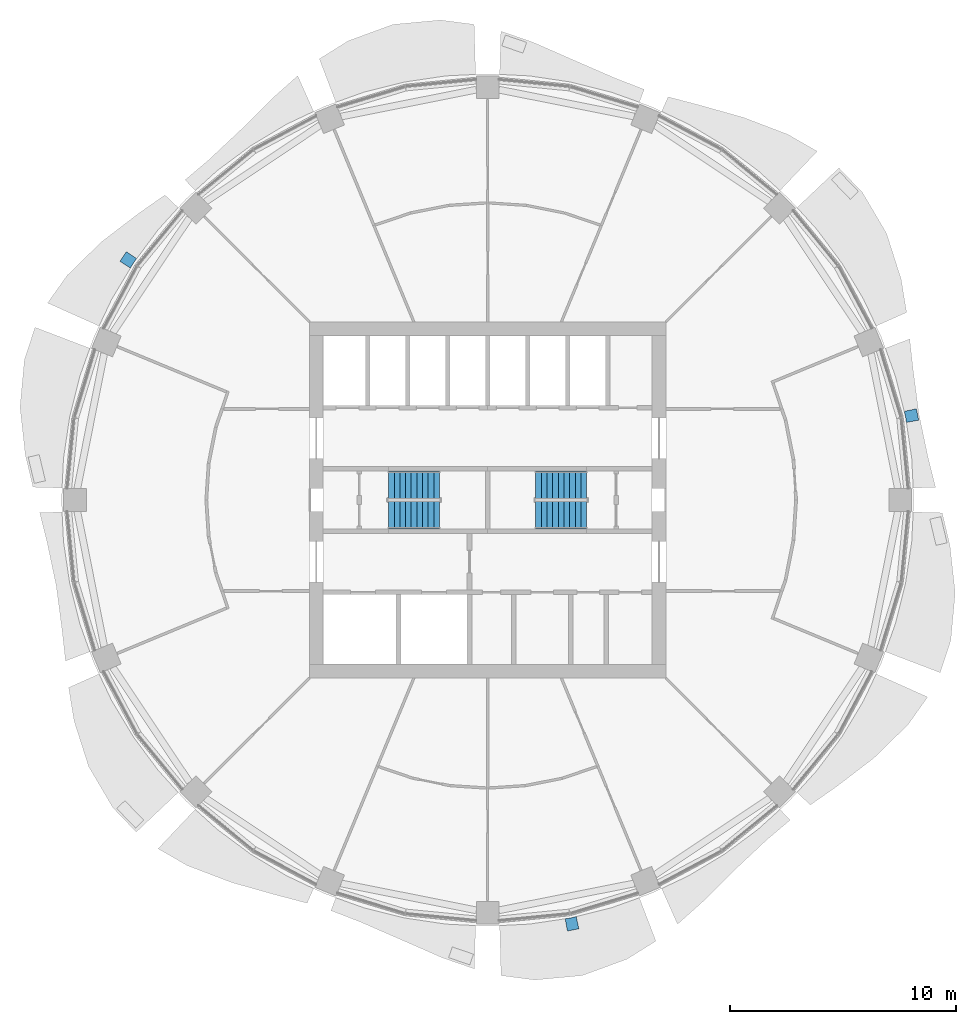
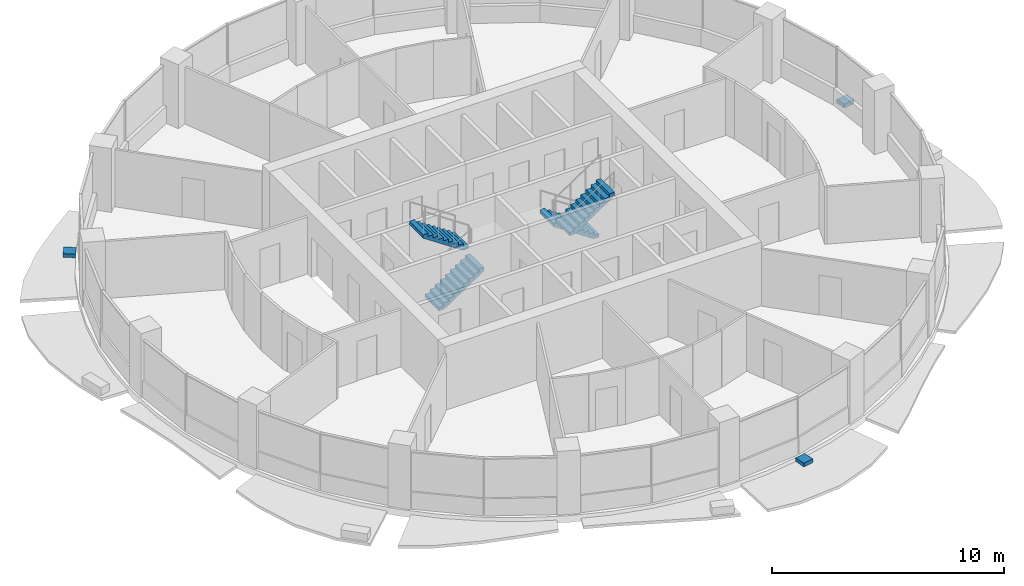
# One storey, part 11 of 15: 4 stair flights, 3 discrete accessories, 2 elements without a shape of their own.
"""IFC4 building model written with IfcOpenShell, lengths in metres."""

from ifc_helpers import new_model, si_unit, direction, frame, origin, place, context, subcontext, project, spatial, polyline, outline, extrude, material, type_object, element, aggregate, save


model = new_model("IFC4")

# Units and contexts
model_context = context("Model", 3, precision=1e-05, world=origin(), true_north=direction((0.0, 1.0)))
body_context = subcontext(model_context, "Body", "Model", "MODEL_VIEW")
ifc_project = project(units=[si_unit("LENGTHUNIT", "METRE"), si_unit("AREAUNIT", "SQUARE_METRE"), si_unit("VOLUMEUNIT", "CUBIC_METRE"), si_unit("PLANEANGLEUNIT", "RADIAN"), si_unit("MASSUNIT", "GRAM", prefix="KILO")], contexts=[model_context])

# Site, building, storey
site_placement = place(None, origin())
site = spatial("IfcSite", under=ifc_project, at=site_placement, CompositionType="ELEMENT")
building_placement = place(site_placement, origin())
building = spatial("IfcBuilding", under=site, at=building_placement, Name="Polderwave Tower", CompositionType="ELEMENT")
storey_placement = place(building_placement, frame((0.0, 0.0, 154.449951171875)))
storey = spatial("IfcBuildingStorey", under=building, at=storey_placement, Name="L41", CompositionType="ELEMENT", Elevation=154.449951171875)

# Stair, stair flights
ifc_material_1 = material(Name="Concrete C40/50", Category="concrete")
stair_type = type_object("IfcStairType", Name="Exit stair 1200 x 20 risers", PredefinedType="HALF_TURN_STAIR", material=ifc_material_1)
stair_1_placement = place(storey_placement, origin())
stair_1 = element("IfcStair", 1, at=stair_1_placement, inside=storey, type_object=stair_type, Name="L41 Exit stair A", PredefinedType="HALF_TURN_STAIR")
stair_flight_type = type_object("IfcStairFlightType", Name="Stair flight 1200", PredefinedType="STRAIGHT", material=ifc_material_1)
stair_flight_1_placement = place(storey_placement, frame((-4.3740234375, -0.675048828125, 0.0), z_axis=(0.0, 0.0, 1.0), x_axis=(1.0, 0.0, 0.0)))
stair_flight_1 = element("IfcStairFlight", 2, at=stair_flight_1_placement, type_object=stair_flight_type, Name="ST-A flight 1", NumberOfRisers=10, NumberOfTreads=9, PredefinedType="STRAIGHT", RiserHeight=0.1675, TreadLength=0.25, context=body_context, shape_type="SweptSolid", body=[
    extrude(outline(polyline([(0.0, 0.0), (0.0, 0.16748046875), (0.25, 0.16748046875), (0.25, 0.3349609375), (0.5, 0.3349609375), (0.5, 0.50244140625), (0.75, 0.50244140625), (0.75, 0.669921875), (1.0, 0.669921875), (1.0, 0.83740234375), (1.25, 0.83740234375), (1.25, 1.0048828125), (1.5, 1.0048828125), (1.5, 1.172607421875), (1.75, 1.172607421875), (1.75, 1.340087890625), (2.0, 1.340087890625), (2.0, 1.507568359375), (2.25, 1.507568359375), (2.25, 1.675048828125), (2.25, 1.3271484375), (0.269287109375, 0.0), (0.0, 0.0)])), frame((0.0, 0.60009765625, 0.0), z_axis=(0.0, -1.0, 0.0), x_axis=(1.0, 0.0, 0.0)), (0.0, 0.0, 1.0), 1.199951171875),
])
stair_flight_2_placement = place(storey_placement, frame((-2.1240234375, 0.675048828125, 1.675048828125), z_axis=(0.0, 0.0, 1.0), x_axis=(-1.0, 0.0, 0.0)))
stair_flight_2 = element("IfcStairFlight", 3, at=stair_flight_2_placement, type_object=stair_flight_type, Name="ST-A flight 2", NumberOfRisers=10, NumberOfTreads=9, PredefinedType="STRAIGHT", RiserHeight=0.1675, TreadLength=0.25, context=body_context, shape_type="SweptSolid", body=[
    extrude(outline(polyline([(0.0, 0.0), (0.0, 0.16748046875), (0.25, 0.16748046875), (0.25, 0.3349609375), (0.5, 0.3349609375), (0.5, 0.50244140625), (0.75, 0.50244140625), (0.75, 0.669921875), (1.0, 0.669921875), (1.0, 0.83740234375), (1.25, 0.83740234375), (1.25, 1.0048828125), (1.5, 1.0048828125), (1.5, 1.172607421875), (1.75, 1.172607421875), (1.75, 1.340087890625), (2.0, 1.340087890625), (2.0, 1.507568359375), (2.25, 1.507568359375), (2.25, 1.675048828125), (2.25, 1.3271484375), (0.269287109375, 0.0), (0.0, 0.0)])), frame((0.0, 0.60009765625, 0.0), z_axis=(0.0, -1.0, 0.0), x_axis=(1.0, 0.0, 0.0)), (0.0, 0.0, 1.0), 1.199951171875),
])
aggregate(stair_1, [stair_flight_1, stair_flight_2])

stair_2_placement = place(storey_placement, origin())
stair_2 = element("IfcStair", 4, at=stair_2_placement, inside=storey, type_object=stair_type, Name="L41 Exit stair B", PredefinedType="HALF_TURN_STAIR")
stair_flight_3_placement = place(storey_placement, frame((4.3740234375, 0.675048828125, 0.0), z_axis=(0.0, 0.0, 1.0), x_axis=(-1.0, 0.0, 0.0)))
stair_flight_3 = element("IfcStairFlight", 5, at=stair_flight_3_placement, type_object=stair_flight_type, Name="ST-B flight 1", NumberOfRisers=10, NumberOfTreads=9, PredefinedType="STRAIGHT", RiserHeight=0.1675, TreadLength=0.25, context=body_context, shape_type="SweptSolid", body=[
    extrude(outline(polyline([(0.0, 0.0), (0.0, 0.16748046875), (0.25, 0.16748046875), (0.25, 0.3349609375), (0.5, 0.3349609375), (0.5, 0.50244140625), (0.75, 0.50244140625), (0.75, 0.669921875), (1.0, 0.669921875), (1.0, 0.83740234375), (1.25, 0.83740234375), (1.25, 1.0048828125), (1.5, 1.0048828125), (1.5, 1.172607421875), (1.75, 1.172607421875), (1.75, 1.340087890625), (2.0, 1.340087890625), (2.0, 1.507568359375), (2.25, 1.507568359375), (2.25, 1.675048828125), (2.25, 1.3271484375), (0.269287109375, 0.0), (0.0, 0.0)])), frame((0.0, 0.60009765625, 0.0), z_axis=(0.0, -1.0, 0.0), x_axis=(1.0, 0.0, 0.0)), (0.0, 0.0, 1.0), 1.199951171875),
])
stair_flight_4_placement = place(storey_placement, frame((2.1240234375, -0.675048828125, 1.675048828125), z_axis=(0.0, 0.0, 1.0), x_axis=(1.0, 0.0, 0.0)))
stair_flight_4 = element("IfcStairFlight", 6, at=stair_flight_4_placement, type_object=stair_flight_type, Name="ST-B flight 2", NumberOfRisers=10, NumberOfTreads=9, PredefinedType="STRAIGHT", RiserHeight=0.1675, TreadLength=0.25, context=body_context, shape_type="SweptSolid", body=[
    extrude(outline(polyline([(0.0, 0.0), (0.0, 0.16748046875), (0.25, 0.16748046875), (0.25, 0.3349609375), (0.5, 0.3349609375), (0.5, 0.50244140625), (0.75, 0.50244140625), (0.75, 0.669921875), (1.0, 0.669921875), (1.0, 0.83740234375), (1.25, 0.83740234375), (1.25, 1.0048828125), (1.5, 1.0048828125), (1.5, 1.172607421875), (1.75, 1.172607421875), (1.75, 1.340087890625), (2.0, 1.340087890625), (2.0, 1.507568359375), (2.25, 1.507568359375), (2.25, 1.675048828125), (2.25, 1.3271484375), (0.269287109375, 0.0), (0.0, 0.0)])), frame((0.0, 0.60009765625, 0.0), z_axis=(0.0, -1.0, 0.0), x_axis=(1.0, 0.0, 0.0)), (0.0, 0.0, 1.0), 1.199951171875),
])
aggregate(stair_2, [stair_flight_3, stair_flight_4])

# Discrete accessories
ifc_material_2 = material(Name="Steel S355", Category="steel")
discrete_accessory_type = type_object("IfcDiscreteAccessoryType", Name="Band bracket pad", PredefinedType="BRACKET", material=ifc_material_2)
discrete_accessory_1_placement = place(storey_placement, frame((0.0, 0.0, -0.199951171875)))
element("IfcDiscreteAccessory", 7, at=discrete_accessory_1_placement, inside=storey, type_object=discrete_accessory_type, Name="Band bracket L41 1", PredefinedType="BRACKET", context=body_context, shape_type="SweptSolid", body=[
    extrude(outline(polyline([(18.5048828125, 3.42626953125), (18.46826171875, 3.673583984375), (18.407470703125, 3.916015625), (18.9453125, 4.030517578125), (19.045654296875, 3.5263671875), (18.5048828125, 3.42626953125)])), origin(), (0.0, 0.0, 1.0), 0.199951171875),
])
discrete_accessory_2_placement = place(storey_placement, frame((0.0, 0.0, -0.199951171875)))
element("IfcDiscreteAccessory", 8, at=discrete_accessory_2_placement, inside=storey, type_object=discrete_accessory_type, Name="Band bracket L41 7", PredefinedType="BRACKET", context=body_context, shape_type="SweptSolid", body=[
    extrude(outline(polyline([(-15.507568359375, 10.662109375), (-15.656494140625, 10.46142578125), (-15.78515625, 10.2470703125), (-16.246337890625, 10.54638671875), (-15.9609375, 10.973876953125), (-15.507568359375, 10.662109375)])), origin(), (0.0, 0.0, 1.0), 0.199951171875),
])
discrete_accessory_3_placement = place(storey_placement, frame((0.0, 0.0, -0.199951171875)))
element("IfcDiscreteAccessory", 9, at=discrete_accessory_3_placement, inside=storey, type_object=discrete_accessory_type, Name="Band bracket L41 13", PredefinedType="BRACKET", context=body_context, shape_type="SweptSolid", body=[
    extrude(outline(polyline([(3.42626953125, -18.5048828125), (3.673583984375, -18.46826171875), (3.916015625, -18.407470703125), (4.030517578125, -18.9453125), (3.5263671875, -19.045654296875), (3.42626953125, -18.5048828125)])), origin(), (0.0, 0.0, 1.0), 0.199951171875),
])

save(model, "model.ifc")
